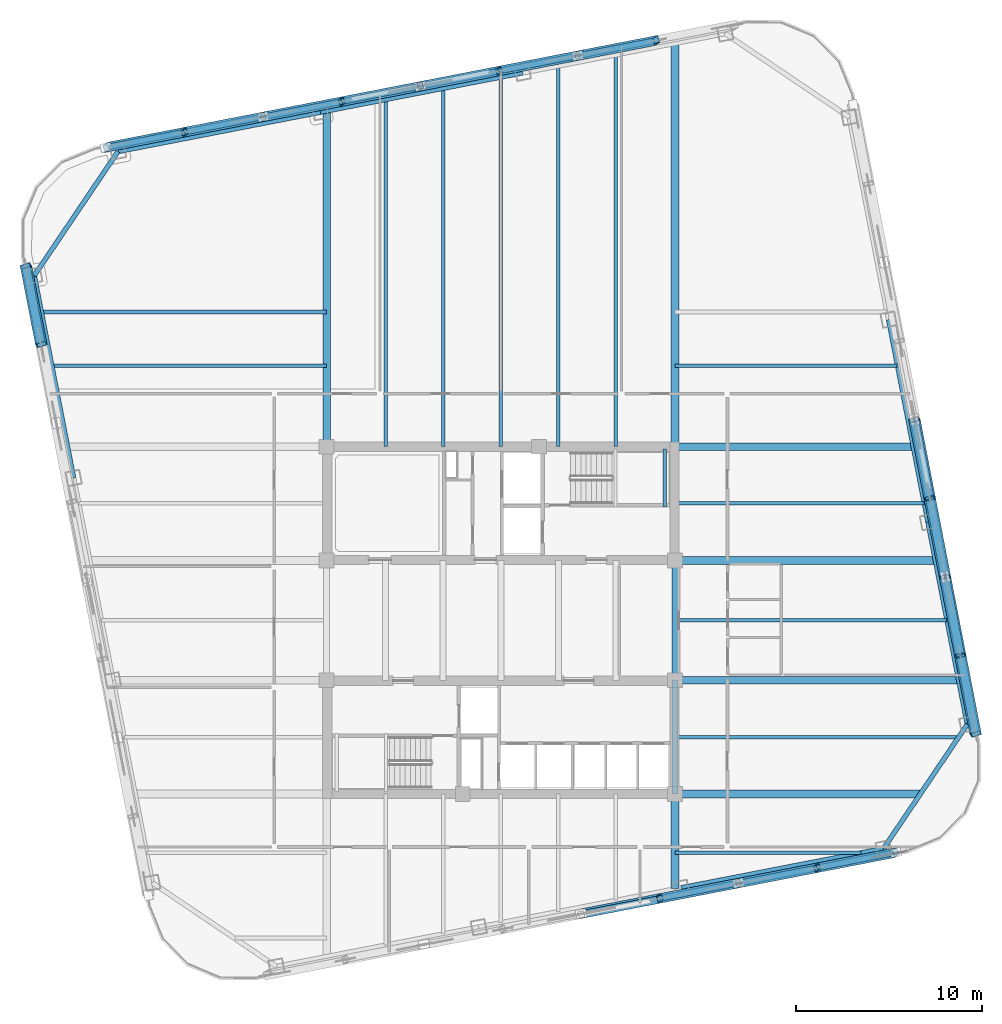
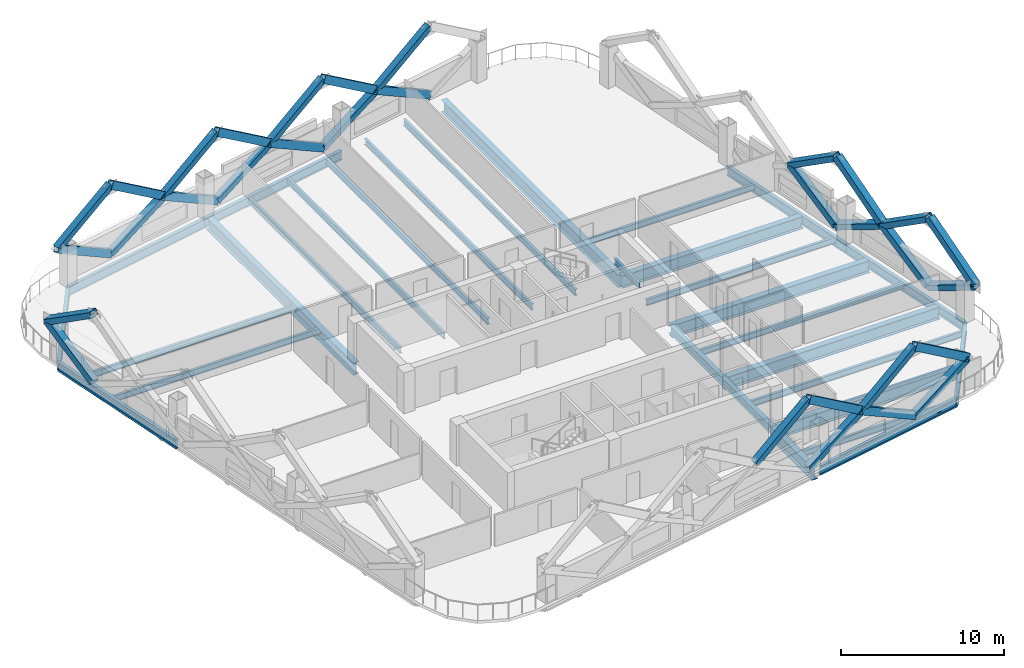
# One storey, part 2 of 10: 31 members, 30 beams.
"""IFC4 building model written with IfcOpenShell, lengths in metres."""

from ifc_helpers import new_model, si_unit, direction, frame, origin, origin_2d, place, context, subcontext, project, spatial, hollow_rectangle, i_section, extrude, material, material_profile, profile_set, type_object, element, save


model = new_model("IFC4")

# Units and contexts
model_context = context("Model", 3, precision=1e-05, world=origin(), true_north=direction((0.0, 1.0)))
body_context = subcontext(model_context, "Body", "Model", "MODEL_VIEW")
ifc_project = project(units=[si_unit("LENGTHUNIT", "METRE"), si_unit("AREAUNIT", "SQUARE_METRE"), si_unit("VOLUMEUNIT", "CUBIC_METRE"), si_unit("PLANEANGLEUNIT", "RADIAN"), si_unit("MASSUNIT", "GRAM", prefix="KILO")], contexts=[model_context])

# Site, building, storey
site_placement = place(None, origin())
site = spatial("IfcSite", under=ifc_project, at=site_placement, CompositionType="ELEMENT")
building_placement = place(site_placement, origin())
building = spatial("IfcBuilding", under=site, at=building_placement, Name="Qhalaya Broadcast Tower", CompositionType="ELEMENT")
storey_placement = place(building_placement, frame((0.0, 0.0, 131.10009765625)))
storey = spatial("IfcBuildingStorey", under=building, at=storey_placement, Name="L38", CompositionType="ELEMENT", Elevation=131.10009765625)

# Beams
ifc_material_1 = material(Name="Structural Steel ASTM A992 Grade 50", Category="steel")
ifc_material_profile_1 = material_profile(ifc_material_1, i_section(OverallWidth=0.19189453125, OverallDepth=0.462890625, WebThickness=0.010498046875, FlangeThickness=0.017578125, at=origin_2d()), Name="W18X60")
ifc_profile_set_1 = profile_set([ifc_material_profile_1], Name="Structural Steel ASTM A992 Grade 50")
beam_type_1 = type_object("IfcBeamType", Name="Composite Floor Joist J03", PredefinedType="JOIST", material=ifc_profile_set_1)
beam_1_placement = place(storey_placement, frame((-6.199951171875, 9.949951171875, -0.45166015625), z_axis=(0.0, 1.0, 0.0), x_axis=(-1.0, 0.0, 0.0)))
element("IfcBeam", 1, at=beam_1_placement, inside=storey, type_object=beam_type_1, Name="L38 J03 L38-JNN1-1", PredefinedType="JOIST", context=body_context, shape_type="SweptSolid", body=[
    extrude(i_section(OverallWidth=0.19189453125, OverallDepth=0.462890625, WebThickness=0.010498046875, FlangeThickness=0.017578125, at=origin_2d()), origin(), (0.0, 0.0, 1.0), 18.6728515625),
])
beam_2_placement = place(storey_placement, frame((-3.10009765625, 9.949951171875, -0.45166015625), z_axis=(0.0, 1.0, 0.0), x_axis=(-1.0, 0.0, 0.0)))
element("IfcBeam", 2, at=beam_2_placement, inside=storey, type_object=beam_type_1, Name="L38 J03 L38-JNN2-1", PredefinedType="JOIST", context=body_context, shape_type="SweptSolid", body=[
    extrude(i_section(OverallWidth=0.19189453125, OverallDepth=0.462890625, WebThickness=0.010498046875, FlangeThickness=0.017578125, at=origin_2d()), origin(), (0.0, 0.0, 1.0), 19.275390625),
])
beam_3_placement = place(storey_placement, frame((0.0, 9.949951171875, -0.45166015625), z_axis=(0.0, 1.0, 0.0), x_axis=(-1.0, 0.0, 0.0)))
element("IfcBeam", 3, at=beam_3_placement, inside=storey, type_object=beam_type_1, Name="L38 J03 L38-JNN3-1", PredefinedType="JOIST", context=body_context, shape_type="SweptSolid", body=[
    extrude(i_section(OverallWidth=0.19189453125, OverallDepth=0.462890625, WebThickness=0.010498046875, FlangeThickness=0.017578125, at=origin_2d()), origin(), (0.0, 0.0, 1.0), 19.8779296875),
])
beam_4_placement = place(storey_placement, frame((3.10009765625, 9.949951171875, -0.45166015625), z_axis=(0.0, 1.0, 0.0), x_axis=(-1.0, 0.0, 0.0)))
element("IfcBeam", 4, at=beam_4_placement, inside=storey, type_object=beam_type_1, Name="L38 J03 L38-JNN4-1", PredefinedType="JOIST", context=body_context, shape_type="SweptSolid", body=[
    extrude(i_section(OverallWidth=0.19189453125, OverallDepth=0.462890625, WebThickness=0.010498046875, FlangeThickness=0.017578125, at=origin_2d()), origin(), (0.0, 0.0, 1.0), 20.480712890625),
])
beam_5_placement = place(storey_placement, frame((6.199951171875, 9.949951171875, -0.45166015625), z_axis=(0.0, 1.0, 0.0), x_axis=(-1.0, 0.0, 0.0)))
element("IfcBeam", 5, at=beam_5_placement, inside=storey, type_object=beam_type_1, Name="L38 J03 L38-JNN5-1", PredefinedType="JOIST", context=body_context, shape_type="SweptSolid", body=[
    extrude(i_section(OverallWidth=0.19189453125, OverallDepth=0.462890625, WebThickness=0.010498046875, FlangeThickness=0.017578125, at=origin_2d()), origin(), (0.0, 0.0, 1.0), 21.083251953125),
])
beam_6_placement = place(storey_placement, frame((9.375, -11.89990234375, -0.45166015625), z_axis=(1.0, 0.0, 0.0), x_axis=(0.0, 1.0, 0.0)))
element("IfcBeam", 6, at=beam_6_placement, inside=storey, type_object=beam_type_1, Name="L38 J03 L38-JWE2E-1", PredefinedType="JOIST", context=body_context, shape_type="SweptSolid", body=[
    extrude(i_section(OverallWidth=0.19189453125, OverallDepth=0.462890625, WebThickness=0.010498046875, FlangeThickness=0.017578125, at=origin_2d()), origin(), (0.0, 0.0, 1.0), 10.009521484375),
])
beam_7_placement = place(storey_placement, frame((9.375, -5.699951171875, -0.45166015625), z_axis=(1.0, 0.0, 0.0), x_axis=(0.0, 1.0, 0.0)))
element("IfcBeam", 7, at=beam_7_placement, inside=storey, type_object=beam_type_1, Name="L38 J03 L38-JWE3E-1", PredefinedType="JOIST", context=body_context, shape_type="SweptSolid", body=[
    extrude(i_section(OverallWidth=0.19189453125, OverallDepth=0.462890625, WebThickness=0.010498046875, FlangeThickness=0.017578125, at=origin_2d()), origin(), (0.0, 0.0, 1.0), 15.24462890625),
])
beam_8_placement = place(storey_placement, frame((9.375, 0.60009765625, -0.45166015625), z_axis=(1.0, 0.0, 0.0), x_axis=(0.0, 1.0, 0.0)))
element("IfcBeam", 8, at=beam_8_placement, inside=storey, type_object=beam_type_1, Name="L38 J03 L38-JWE4E-1", PredefinedType="JOIST", context=body_context, shape_type="SweptSolid", body=[
    extrude(i_section(OverallWidth=0.19189453125, OverallDepth=0.462890625, WebThickness=0.010498046875, FlangeThickness=0.017578125, at=origin_2d()), origin(), (0.0, 0.0, 1.0), 14.632568359375),
])
beam_9_placement = place(storey_placement, frame((9.375, 6.89990234375, -0.45166015625), z_axis=(1.0, 0.0, 0.0), x_axis=(0.0, 1.0, 0.0)))
element("IfcBeam", 9, at=beam_9_placement, inside=storey, type_object=beam_type_1, Name="L38 J03 L38-JWE5E-1", PredefinedType="JOIST", context=body_context, shape_type="SweptSolid", body=[
    extrude(i_section(OverallWidth=0.19189453125, OverallDepth=0.462890625, WebThickness=0.010498046875, FlangeThickness=0.017578125, at=origin_2d()), origin(), (0.0, 0.0, 1.0), 13.407958984375),
])
beam_10_placement = place(storey_placement, frame((-24.1513671875, 14.300048828125, -0.45166015625), z_axis=(1.0, 0.0, 0.0), x_axis=(0.0, 1.0, 0.0)))
element("IfcBeam", 10, at=beam_10_placement, inside=storey, type_object=beam_type_1, Name="L38 J03 L38-JWE6W-1", PredefinedType="JOIST", context=body_context, shape_type="SweptSolid", body=[
    extrude(i_section(OverallWidth=0.19189453125, OverallDepth=0.462890625, WebThickness=0.010498046875, FlangeThickness=0.017578125, at=origin_2d()), origin(), (0.0, 0.0, 1.0), 14.7763671875),
])
beam_11_placement = place(storey_placement, frame((9.375, 14.300048828125, -0.45166015625), z_axis=(1.0, 0.0, 0.0), x_axis=(0.0, 1.0, 0.0)))
element("IfcBeam", 11, at=beam_11_placement, inside=storey, type_object=beam_type_1, Name="L38 J03 L38-JWE6E-1", PredefinedType="JOIST", context=body_context, shape_type="SweptSolid", body=[
    extrude(i_section(OverallWidth=0.19189453125, OverallDepth=0.462890625, WebThickness=0.010498046875, FlangeThickness=0.017578125, at=origin_2d()), origin(), (0.0, 0.0, 1.0), 11.969482421875),
])
beam_12_placement = place(storey_placement, frame((-24.715087890625, 17.199951171875, -0.45166015625), z_axis=(1.0, 0.0, 0.0), x_axis=(0.0, 1.0, 0.0)))
element("IfcBeam", 12, at=beam_12_placement, inside=storey, type_object=beam_type_1, Name="L38 J03 L38-JWE7W-1", PredefinedType="JOIST", context=body_context, shape_type="SweptSolid", body=[
    extrude(i_section(OverallWidth=0.19189453125, OverallDepth=0.462890625, WebThickness=0.010498046875, FlangeThickness=0.017578125, at=origin_2d()), origin(), (0.0, 0.0, 1.0), 15.340087890625),
])
ifc_material_profile_2 = material_profile(ifc_material_1, i_section(OverallWidth=0.323974609375, OverallDepth=0.612060546875, WebThickness=0.0126953125, FlangeThickness=0.01904296875, at=origin_2d()), Name="W24X104")
ifc_profile_set_2 = profile_set([ifc_material_profile_2], Name="Structural Steel ASTM A992 Grade 50")
beam_type_2 = type_object("IfcBeamType", Name="Core Frame Tie Beam B04", PredefinedType="BEAM", material=ifc_profile_set_2)
beam_13_placement = place(storey_placement, frame((9.375, -8.75, -0.526123046875), z_axis=(0.0, 1.0, 0.0), x_axis=(-1.0, 0.0, 0.0)))
element("IfcBeam", 13, at=beam_13_placement, inside=storey, type_object=beam_type_2, Name="L38 B04 L38-CCS2", PredefinedType="BEAM", context=body_context, shape_type="SweptSolid", body=[
    extrude(i_section(OverallWidth=0.323974609375, OverallDepth=0.612060546875, WebThickness=0.0126953125, FlangeThickness=0.01904296875, at=origin_2d()), origin(), (0.0, 0.0, 1.0), 6.125),
])
beam_14_placement = place(storey_placement, frame((9.375, -2.625, -0.526123046875), z_axis=(0.0, 1.0, 0.0), x_axis=(-1.0, 0.0, 0.0)))
element("IfcBeam", 14, at=beam_14_placement, inside=storey, type_object=beam_type_2, Name="L38 B04 L38-CCE", PredefinedType="BEAM", context=body_context, shape_type="SweptSolid", body=[
    extrude(i_section(OverallWidth=0.323974609375, OverallDepth=0.612060546875, WebThickness=0.0126953125, FlangeThickness=0.01904296875, at=origin_2d()), origin(), (0.0, 0.0, 1.0), 6.449951171875),
])

# Members
ifc_material_2 = material(Name="Structural Steel ASTM A572 Grade 50", Category="steel")
ifc_material_profile_3 = material_profile(ifc_material_2, hollow_rectangle(XDim=0.419921875, YDim=0.550048828125, WallThickness=0.028076171875, at=origin_2d()), Name="BOX 420x550x28")
ifc_profile_set_3 = profile_set([ifc_material_profile_3], Name="Structural Steel ASTM A572 Grade 50")
member_type = type_object("IfcMemberType", Name="Exoskeleton Diamond Diagonal Mid-Low EX2", PredefinedType="BRACE", material=ifc_profile_set_3)
member_1_placement = place(storey_placement, frame((8.562744140625, -14.370361328125, 0.35986328125), z_axis=(0.863618006517, 0.167902203124, 0.475365952719), x_axis=(-0.276374553568, 0.946274942687, 0.167871495444)))
element("IfcMember", 15, at=member_1_placement, inside=storey, type_object=member_type, Name="B3 Exoskeleton Diamond Brace S3-D2", PredefinedType="BRACE", context=body_context, shape_type="SweptSolid", body=[
    extrude(hollow_rectangle(XDim=0.419921875, YDim=0.550048828125, WallThickness=0.028076171875, at=origin_2d()), origin(), (0.0, 0.0, 1.0), 4.901611328125),
])
for number, where, z_axis, x_axis, name in (
    (16, (4.32958984375, -15.193115234375, 2.68994140625), (0.822430012189, 0.159847115813, 0.545946677449), (-0.289542019185, 0.943720856791, 0.159863578043), "B3 Exoskeleton Diamond Brace S3-D3"),
    (17, (12.7958984375, -13.54736328125, 2.68994140625), (-0.822423775729, -0.159893335716, 0.545942537553), (0.289593689204, -0.943704915221, 0.15986409278), "B3 Exoskeleton Diamond Brace S3-D4"),
):
    element("IfcMember", number, at=place(storey_placement, frame(where, z_axis=z_axis, x_axis=x_axis)), inside=storey, type_object=member_type, Name=name, PredefinedType="BRACE", context=body_context, shape_type="SweptSolid", body=[
        extrude(hollow_rectangle(XDim=0.419921875, YDim=0.550048828125, WallThickness=0.028076171875, at=origin_2d()), origin(), (0.0, 0.0, 1.0), 5.147216796875),
    ])
member_2_placement = place(storey_placement, frame((17.029296875, -12.724609375, 0.35986328125), z_axis=(-0.863637885863, -0.16784657874, 0.47534947997), x_axis=(0.276308659238, -0.946293884406, 0.167873193708)))
element("IfcMember", 18, at=member_2_placement, inside=storey, type_object=member_type, Name="B3 Exoskeleton Diamond Brace S4-D1", PredefinedType="BRACE", context=body_context, shape_type="SweptSolid", body=[
    extrude(hollow_rectangle(XDim=0.419921875, YDim=0.550048828125, WallThickness=0.028076171875, at=origin_2d()), origin(), (0.0, 0.0, 1.0), 4.90185546875),
])
member_3_placement = place(storey_placement, frame((17.029296875, -12.724609375, 0.35986328125), z_axis=(0.863618006517, 0.167902203124, 0.475365952719), x_axis=(-0.276374553568, 0.946274942687, 0.167871495444)))
element("IfcMember", 19, at=member_3_placement, inside=storey, type_object=member_type, Name="B3 Exoskeleton Diamond Brace S4-D2", PredefinedType="BRACE", context=body_context, shape_type="SweptSolid", body=[
    extrude(hollow_rectangle(XDim=0.419921875, YDim=0.550048828125, WallThickness=0.028076171875, at=origin_2d()), origin(), (0.0, 0.0, 1.0), 4.901611328125),
])
for number, where, z_axis, x_axis, name in (
    (20, (12.7958984375, -13.54736328125, 2.68994140625), (0.822445360829, 0.159840880392, 0.545925380804), (-0.289527837313, 0.943724759255, 0.159866225918), "B3 Exoskeleton Diamond Brace S4-D3"),
    (21, (21.262451171875, -11.901611328125, 2.68994140625), (-0.822423775729, -0.159893335716, 0.545942537553), (0.289593689204, -0.943704915221, 0.15986409278), "B3 Exoskeleton Diamond Brace S4-D4"),
):
    element("IfcMember", number, at=place(storey_placement, frame(where, z_axis=z_axis, x_axis=x_axis)), inside=storey, type_object=member_type, Name=name, PredefinedType="BRACE", context=body_context, shape_type="SweptSolid", body=[
        extrude(hollow_rectangle(XDim=0.419921875, YDim=0.550048828125, WallThickness=0.028076171875, at=origin_2d()), origin(), (0.0, 0.0, 1.0), 5.147216796875),
    ])
member_4_placement = place(storey_placement, frame((24.74169921875, -1.290283203125, 0.35986328125), z_axis=(0.167894981079, -0.863630665056, 0.475345505611), x_axis=(-0.276347513602, 0.421624178814, 0.863634820723)))
element("IfcMember", 22, at=member_4_placement, inside=storey, type_object=member_type, Name="B3 Exoskeleton Diamond Brace E1-D1", PredefinedType="BRACE", context=body_context, shape_type="SweptSolid", body=[
    extrude(hollow_rectangle(XDim=0.419921875, YDim=0.550048828125, WallThickness=0.028076171875, at=origin_2d()), origin(), (0.0, 0.0, 1.0), 4.90185546875),
])
member_5_placement = place(storey_placement, frame((24.74169921875, -1.290283203125, 0.35986328125), z_axis=(-0.167902203124, 0.863618006517, 0.475365952719), x_axis=(0.276355899211, -0.421640895738, 0.863623976052)))
element("IfcMember", 23, at=member_5_placement, inside=storey, type_object=member_type, Name="B3 Exoskeleton Diamond Brace E1-D2", PredefinedType="BRACE", context=body_context, shape_type="SweptSolid", body=[
    extrude(hollow_rectangle(XDim=0.419921875, YDim=0.550048828125, WallThickness=0.028076171875, at=origin_2d()), origin(), (0.0, 0.0, 1.0), 4.901611328125),
])
member_6_placement = place(storey_placement, frame((25.564697265625, -5.523681640625, 2.68994140625), z_axis=(-0.159887098587, 0.822439124739, 0.545921241393), x_axis=(0.289568264946, -0.489630060841, 0.822443082199)))
element("IfcMember", 24, at=member_6_placement, inside=storey, type_object=member_type, Name="B3 Exoskeleton Diamond Brace E1-D3", PredefinedType="BRACE", context=body_context, shape_type="SweptSolid", body=[
    extrude(hollow_rectangle(XDim=0.419921875, YDim=0.550048828125, WallThickness=0.028076171875, at=origin_2d()), origin(), (0.0, 0.0, 1.0), 5.1474609375),
])
member_7_placement = place(storey_placement, frame((23.918701171875, 2.94287109375, 2.68994140625), z_axis=(0.159893335716, -0.822423775729, 0.545942537553), x_axis=(-0.289577544331, 0.489647453062, 0.822429460519)))
element("IfcMember", 25, at=member_7_placement, inside=storey, type_object=member_type, Name="B3 Exoskeleton Diamond Brace E1-D4", PredefinedType="BRACE", context=body_context, shape_type="SweptSolid", body=[
    extrude(hollow_rectangle(XDim=0.419921875, YDim=0.550048828125, WallThickness=0.028076171875, at=origin_2d()), origin(), (0.0, 0.0, 1.0), 5.147216796875),
])
member_8_placement = place(storey_placement, frame((23.095947265625, 7.17626953125, 0.35986328125), z_axis=(0.16784657874, -0.863637885863, 0.47534947997), x_axis=(-0.276324827587, 0.421643364625, 0.863632712863)))
element("IfcMember", 26, at=member_8_placement, inside=storey, type_object=member_type, Name="B3 Exoskeleton Diamond Brace E2-D1", PredefinedType="BRACE", context=body_context, shape_type="SweptSolid", body=[
    extrude(hollow_rectangle(XDim=0.419921875, YDim=0.550048828125, WallThickness=0.028076171875, at=origin_2d()), origin(), (0.0, 0.0, 1.0), 4.90185546875),
])
member_9_placement = place(storey_placement, frame((23.095947265625, 7.17626953125, 0.35986328125), z_axis=(-0.167853798825, 0.86362522784, 0.475369927591), x_axis=(0.276333211151, -0.421660083323, 0.863621867803)))
element("IfcMember", 27, at=member_9_placement, inside=storey, type_object=member_type, Name="B3 Exoskeleton Diamond Brace E2-D2", PredefinedType="BRACE", context=body_context, shape_type="SweptSolid", body=[
    extrude(hollow_rectangle(XDim=0.419921875, YDim=0.550048828125, WallThickness=0.028076171875, at=origin_2d()), origin(), (0.0, 0.0, 1.0), 4.901611328125),
])
for number, where, z_axis, x_axis, name in (
    (28, (23.918701171875, 2.94287109375, 2.68994140625), (-0.159840880392, 0.822445360829, 0.545925380804), (0.289541830698, -0.489650140275, 0.822440434563), "B3 Exoskeleton Diamond Brace E2-D3"),
    (29, (22.273193359375, 11.409423828125, 2.68994140625), (0.159847115813, -0.822430012189, 0.545946677449), (-0.289551107794, 0.489667534331, 0.822426812426), "B3 Exoskeleton Diamond Brace E2-D4"),
):
    element("IfcMember", number, at=place(storey_placement, frame(where, z_axis=z_axis, x_axis=x_axis)), inside=storey, type_object=member_type, Name=name, PredefinedType="BRACE", context=body_context, shape_type="SweptSolid", body=[
        extrude(hollow_rectangle(XDim=0.419921875, YDim=0.550048828125, WallThickness=0.028076171875, at=origin_2d()), origin(), (0.0, 0.0, 1.0), 5.147216796875),
    ])
member_10_placement = place(storey_placement, frame((8.370361328125, 31.82177734375, 0.35986328125), z_axis=(-0.863618006517, -0.167902203124, 0.475365952719), x_axis=(0.276374553568, -0.946274942687, 0.167871495444)))
element("IfcMember", 30, at=member_10_placement, inside=storey, type_object=member_type, Name="B3 Exoskeleton Diamond Brace N1-D2", PredefinedType="BRACE", context=body_context, shape_type="SweptSolid", body=[
    extrude(hollow_rectangle(XDim=0.419921875, YDim=0.550048828125, WallThickness=0.028076171875, at=origin_2d()), origin(), (0.0, 0.0, 1.0), 4.901611328125),
])
member_11_placement = place(storey_placement, frame((4.13720703125, 30.998779296875, 2.68994140625), z_axis=(0.822423775729, 0.159893335716, 0.545942537553), x_axis=(-0.289593689204, 0.943704915221, 0.15986409278)))
element("IfcMember", 31, at=member_11_placement, inside=storey, type_object=member_type, Name="B3 Exoskeleton Diamond Brace N1-D4", PredefinedType="BRACE", context=body_context, shape_type="SweptSolid", body=[
    extrude(hollow_rectangle(XDim=0.419921875, YDim=0.550048828125, WallThickness=0.028076171875, at=origin_2d()), origin(), (0.0, 0.0, 1.0), 5.147216796875),
])
for number, where, z_axis, x_axis, name in (
    (32, (-0.09619140625, 30.176025390625, 0.35986328125), (0.863637885863, 0.16784657874, 0.47534947997), (-0.276308659238, 0.946293884406, 0.167873193708), "B3 Exoskeleton Diamond Brace N2-D1"),
    (33, (-0.09619140625, 30.176025390625, 0.35986328125), (-0.863630665056, -0.167894981079, 0.475345505611), (0.276360500461, -0.946278673042, 0.167873603434), "B3 Exoskeleton Diamond Brace N2-D2"),
):
    element("IfcMember", number, at=place(storey_placement, frame(where, z_axis=z_axis, x_axis=x_axis)), inside=storey, type_object=member_type, Name=name, PredefinedType="BRACE", context=body_context, shape_type="SweptSolid", body=[
        extrude(hollow_rectangle(XDim=0.419921875, YDim=0.550048828125, WallThickness=0.028076171875, at=origin_2d()), origin(), (0.0, 0.0, 1.0), 4.90185546875),
    ])
member_12_placement = place(storey_placement, frame((4.13720703125, 30.998779296875, 2.68994140625), z_axis=(-0.822445360829, -0.159840880392, 0.545925380804), x_axis=(0.289527837313, -0.943724759255, 0.159866225918)))
element("IfcMember", 34, at=member_12_placement, inside=storey, type_object=member_type, Name="B3 Exoskeleton Diamond Brace N2-D3", PredefinedType="BRACE", context=body_context, shape_type="SweptSolid", body=[
    extrude(hollow_rectangle(XDim=0.419921875, YDim=0.550048828125, WallThickness=0.028076171875, at=origin_2d()), origin(), (0.0, 0.0, 1.0), 5.147216796875),
])
member_13_placement = place(storey_placement, frame((-4.32958984375, 29.35302734375, 2.68994140625), z_axis=(0.822439124739, 0.159887098587, 0.545921241393), x_axis=(-0.289579504833, 0.943708819309, 0.159866740566)))
element("IfcMember", 35, at=member_13_placement, inside=storey, type_object=member_type, Name="B3 Exoskeleton Diamond Brace N2-D4", PredefinedType="BRACE", context=body_context, shape_type="SweptSolid", body=[
    extrude(hollow_rectangle(XDim=0.419921875, YDim=0.550048828125, WallThickness=0.028076171875, at=origin_2d()), origin(), (0.0, 0.0, 1.0), 5.1474609375),
])
for number, where, z_axis, x_axis, name in (
    (36, (-8.562744140625, 28.5302734375, 0.35986328125), (0.86362522784, 0.167853798825, 0.475369927591), (-0.276322709835, 0.946290155626, 0.167871085642), "B3 Exoskeleton Diamond Brace N3-D1"),
    (37, (-8.562744140625, 28.5302734375, 0.35986328125), (-0.86362522784, -0.167853798825, 0.475369927591), (0.276322709835, -0.946290155626, 0.167871085642), "B3 Exoskeleton Diamond Brace N3-D2"),
):
    element("IfcMember", number, at=place(storey_placement, frame(where, z_axis=z_axis, x_axis=x_axis)), inside=storey, type_object=member_type, Name=name, PredefinedType="BRACE", context=body_context, shape_type="SweptSolid", body=[
        extrude(hollow_rectangle(XDim=0.419921875, YDim=0.550048828125, WallThickness=0.028076171875, at=origin_2d()), origin(), (0.0, 0.0, 1.0), 4.901611328125),
    ])
for number, where, z_axis, x_axis, name in (
    (38, (-4.32958984375, 29.35302734375, 2.68994140625), (-0.822430012189, -0.159847115813, 0.545946677449), (0.289542019185, -0.943720856791, 0.159863578043), "B3 Exoskeleton Diamond Brace N3-D3"),
    (39, (-12.7958984375, 27.70751953125, 2.68994140625), (0.822430012189, 0.159847115813, 0.545946677449), (-0.289542019185, 0.943720856791, 0.159863578043), "B3 Exoskeleton Diamond Brace N3-D4"),
):
    element("IfcMember", number, at=place(storey_placement, frame(where, z_axis=z_axis, x_axis=x_axis)), inside=storey, type_object=member_type, Name=name, PredefinedType="BRACE", context=body_context, shape_type="SweptSolid", body=[
        extrude(hollow_rectangle(XDim=0.419921875, YDim=0.550048828125, WallThickness=0.028076171875, at=origin_2d()), origin(), (0.0, 0.0, 1.0), 5.147216796875),
    ])
member_14_placement = place(storey_placement, frame((-17.029296875, 26.884521484375, 0.35986328125), z_axis=(0.863630665056, 0.167894981079, 0.475345505611), x_axis=(-0.276360500461, 0.946278673042, 0.167873603434)))
element("IfcMember", 40, at=member_14_placement, inside=storey, type_object=member_type, Name="B3 Exoskeleton Diamond Brace N4-D1", PredefinedType="BRACE", context=body_context, shape_type="SweptSolid", body=[
    extrude(hollow_rectangle(XDim=0.419921875, YDim=0.550048828125, WallThickness=0.028076171875, at=origin_2d()), origin(), (0.0, 0.0, 1.0), 4.90185546875),
])
member_15_placement = place(storey_placement, frame((-17.029296875, 26.884521484375, 0.35986328125), z_axis=(-0.86362522784, -0.167853798825, 0.475369927591), x_axis=(0.276322709835, -0.946290155626, 0.167871085642)))
element("IfcMember", 41, at=member_15_placement, inside=storey, type_object=member_type, Name="B3 Exoskeleton Diamond Brace N4-D2", PredefinedType="BRACE", context=body_context, shape_type="SweptSolid", body=[
    extrude(hollow_rectangle(XDim=0.419921875, YDim=0.550048828125, WallThickness=0.028076171875, at=origin_2d()), origin(), (0.0, 0.0, 1.0), 4.901611328125),
])
member_16_placement = place(storey_placement, frame((-12.7958984375, 27.70751953125, 2.68994140625), z_axis=(-0.822439124739, -0.159887098587, 0.545921241393), x_axis=(0.289579504833, -0.943708819309, 0.159866740566)))
element("IfcMember", 42, at=member_16_placement, inside=storey, type_object=member_type, Name="B3 Exoskeleton Diamond Brace N4-D3", PredefinedType="BRACE", context=body_context, shape_type="SweptSolid", body=[
    extrude(hollow_rectangle(XDim=0.419921875, YDim=0.550048828125, WallThickness=0.028076171875, at=origin_2d()), origin(), (0.0, 0.0, 1.0), 5.1474609375),
])
member_17_placement = place(storey_placement, frame((-21.262451171875, 26.061767578125, 2.68994140625), z_axis=(0.822430012189, 0.159847115813, 0.545946677449), x_axis=(-0.289542019185, 0.943720856791, 0.159863578043)))
element("IfcMember", 43, at=member_17_placement, inside=storey, type_object=member_type, Name="B3 Exoskeleton Diamond Brace N4-D4", PredefinedType="BRACE", context=body_context, shape_type="SweptSolid", body=[
    extrude(hollow_rectangle(XDim=0.419921875, YDim=0.550048828125, WallThickness=0.028076171875, at=origin_2d()), origin(), (0.0, 0.0, 1.0), 5.147216796875),
])
member_18_placement = place(storey_placement, frame((-24.74169921875, 15.4501953125, 0.35986328125), z_axis=(-0.167894981079, 0.863630665056, 0.475345505611), x_axis=(0.276347513602, -0.421624178814, 0.863634820723)))
element("IfcMember", 44, at=member_18_placement, inside=storey, type_object=member_type, Name="B3 Exoskeleton Diamond Brace W1-D1", PredefinedType="BRACE", context=body_context, shape_type="SweptSolid", body=[
    extrude(hollow_rectangle(XDim=0.419921875, YDim=0.550048828125, WallThickness=0.028076171875, at=origin_2d()), origin(), (0.0, 0.0, 1.0), 4.90185546875),
])
member_19_placement = place(storey_placement, frame((-25.564697265625, 19.68359375, 2.68994140625), z_axis=(0.159887098587, -0.822439124739, 0.545921241393), x_axis=(-0.289568264946, 0.489630060841, 0.822443082199)))
element("IfcMember", 45, at=member_19_placement, inside=storey, type_object=member_type, Name="B3 Exoskeleton Diamond Brace W1-D3", PredefinedType="BRACE", context=body_context, shape_type="SweptSolid", body=[
    extrude(hollow_rectangle(XDim=0.419921875, YDim=0.550048828125, WallThickness=0.028076171875, at=origin_2d()), origin(), (0.0, 0.0, 1.0), 5.1474609375),
])

# Beams
ifc_material_profile_4 = material_profile(ifc_material_1, i_section(OverallWidth=0.4189453125, OverallDepth=0.927001953125, WebThickness=0.019287109375, FlangeThickness=0.031982421875, at=origin_2d()), Name="W36X231")
ifc_profile_set_4 = profile_set([ifc_material_profile_4], Name="Structural Steel ASTM A992 Grade 50")
beam_type_3 = type_object("IfcBeamType", Name="Mid Block Primary Girder PG3", PredefinedType="USERDEFINED", material=ifc_profile_set_4)
beam_15_placement = place(storey_placement, frame((-9.375, 9.949951171875, -0.68359375), z_axis=(0.0, 1.0, 0.0), x_axis=(-1.0, 0.0, 0.0)))
element("IfcBeam", 46, at=beam_15_placement, inside=storey, type_object=beam_type_3, Name="L38 PG3 L38-PGXN1-1", ObjectType="GIRDER", PredefinedType="USERDEFINED", context=body_context, shape_type="SweptSolid", body=[
    extrude(i_section(OverallWidth=0.4189453125, OverallDepth=0.927001953125, WebThickness=0.019287109375, FlangeThickness=0.031982421875, at=origin_2d()), origin(), (0.0, 0.0, 1.0), 18.0556640625),
])
beam_16_placement = place(storey_placement, frame((9.375, -13.845703125, -0.68359375), z_axis=(0.0, 1.0, 0.0), x_axis=(-1.0, 0.0, 0.0)))
element("IfcBeam", 47, at=beam_16_placement, inside=storey, type_object=beam_type_3, Name="L38 PG3 L38-PGXS2-1", ObjectType="GIRDER", PredefinedType="USERDEFINED", context=body_context, shape_type="SweptSolid", body=[
    extrude(i_section(OverallWidth=0.4189453125, OverallDepth=0.927001953125, WebThickness=0.019287109375, FlangeThickness=0.031982421875, at=origin_2d()), origin(), (0.0, 0.0, 1.0), 5.095703125),
])
beam_17_placement = place(storey_placement, frame((9.375, 9.949951171875, -0.68359375), z_axis=(0.0, 1.0, 0.0), x_axis=(-1.0, 0.0, 0.0)))
element("IfcBeam", 48, at=beam_17_placement, inside=storey, type_object=beam_type_3, Name="L38 PG3 L38-PGXN2-1", ObjectType="GIRDER", PredefinedType="USERDEFINED", context=body_context, shape_type="SweptSolid", body=[
    extrude(i_section(OverallWidth=0.4189453125, OverallDepth=0.927001953125, WebThickness=0.019287109375, FlangeThickness=0.031982421875, at=origin_2d()), origin(), (0.0, 0.0, 1.0), 21.7001953125),
])
beam_18_placement = place(storey_placement, frame((9.375, -8.75, -0.68359375), z_axis=(1.0, 0.0, 0.0), x_axis=(0.0, 1.0, 0.0)))
element("IfcBeam", 49, at=beam_18_placement, inside=storey, type_object=beam_type_3, Name="L38 PG3 L38-PGYE1-1", ObjectType="GIRDER", PredefinedType="USERDEFINED", context=body_context, shape_type="SweptSolid", body=[
    extrude(i_section(OverallWidth=0.4189453125, OverallDepth=0.927001953125, WebThickness=0.019287109375, FlangeThickness=0.031982421875, at=origin_2d()), origin(), (0.0, 0.0, 1.0), 13.1875),
])
beam_19_placement = place(storey_placement, frame((9.375, -2.625, -0.68359375), z_axis=(1.0, 0.0, 0.0), x_axis=(0.0, 1.0, 0.0)))
element("IfcBeam", 50, at=beam_19_placement, inside=storey, type_object=beam_type_3, Name="L38 PG3 L38-PGYE2-1", ObjectType="GIRDER", PredefinedType="USERDEFINED", context=body_context, shape_type="SweptSolid", body=[
    extrude(i_section(OverallWidth=0.4189453125, OverallDepth=0.927001953125, WebThickness=0.019287109375, FlangeThickness=0.031982421875, at=origin_2d()), origin(), (0.0, 0.0, 1.0), 15.259521484375),
])
beam_20_placement = place(storey_placement, frame((9.375, 3.824951171875, -0.68359375), z_axis=(1.0, 0.0, 0.0), x_axis=(0.0, 1.0, 0.0)))
element("IfcBeam", 51, at=beam_20_placement, inside=storey, type_object=beam_type_3, Name="L38 PG3 L38-PGYE3-1", ObjectType="GIRDER", PredefinedType="USERDEFINED", context=body_context, shape_type="SweptSolid", body=[
    extrude(i_section(OverallWidth=0.4189453125, OverallDepth=0.927001953125, WebThickness=0.019287109375, FlangeThickness=0.031982421875, at=origin_2d()), origin(), (0.0, 0.0, 1.0), 14.005615234375),
])
beam_21_placement = place(storey_placement, frame((9.375, 9.949951171875, -0.68359375), z_axis=(1.0, 0.0, 0.0), x_axis=(0.0, 1.0, 0.0)))
element("IfcBeam", 52, at=beam_21_placement, inside=storey, type_object=beam_type_3, Name="L38 PG3 L38-PGYE4-1", ObjectType="GIRDER", PredefinedType="USERDEFINED", context=body_context, shape_type="SweptSolid", body=[
    extrude(i_section(OverallWidth=0.4189453125, OverallDepth=0.927001953125, WebThickness=0.019287109375, FlangeThickness=0.031982421875, at=origin_2d()), origin(), (0.0, 0.0, 1.0), 12.815185546875),
])
ifc_material_profile_5 = material_profile(ifc_material_1, i_section(OverallWidth=0.25390625, OverallDepth=0.68310546875, WebThickness=0.012451171875, FlangeThickness=0.01904296875, at=origin_2d()), Name="W27X94")
ifc_profile_set_5 = profile_set([ifc_material_profile_5], Name="Structural Steel ASTM A992 Grade 50")
beam_type_4 = type_object("IfcBeamType", Name="Perimeter Ring Spandrel Beam SP1", PredefinedType="SPANDREL", material=ifc_profile_set_5)
beam_22_placement = place(storey_placement, frame((9.712646484375, -13.80029296875, -0.5615234375), z_axis=(0.981627979352, 0.190804900759, 0.0), x_axis=(-0.190804900759, 0.981627979352, 0.0)))
element("IfcBeam", 53, at=beam_22_placement, inside=storey, type_object=beam_type_4, Name="L38 SP1 L38-SPR-03", PredefinedType="SPANDREL", context=body_context, shape_type="SweptSolid", body=[
    extrude(i_section(OverallWidth=0.25390625, OverallDepth=0.68310546875, WebThickness=0.012451171875, FlangeThickness=0.01904296875, at=origin_2d()), origin(), (0.0, 0.0, 1.0), 11.099853515625),
])
beam_23_placement = place(storey_placement, frame((20.608642578125, -11.682373046875, -0.5615234375), z_axis=(0.559186208288, 0.829042088473, 0.0), x_axis=(-0.829042088473, 0.559186208288, 0.0)))
element("IfcBeam", 54, at=beam_23_placement, inside=storey, type_object=beam_type_4, Name="L38 SP1 L38-SPR-04", PredefinedType="SPANDREL", context=body_context, shape_type="SweptSolid", body=[
    extrude(i_section(OverallWidth=0.25390625, OverallDepth=0.68310546875, WebThickness=0.012451171875, FlangeThickness=0.01904296875, at=origin_2d()), origin(), (0.0, 0.0, 1.0), 8.06103515625),
])
for number, where, z_axis, x_axis, name in (
    (55, (25.1162109375, -4.99951171875, -0.5615234375), (-0.190804900759, 0.981627979352, 0.0), (-0.981627979352, -0.190804900759, 0.0), "L38 SP1 L38-SPR-05"),
    (56, (22.998291015625, 5.896484375, -0.5615234375), (-0.190804900759, 0.981627979352, 0.0), (-0.981627979352, -0.190804900759, 0.0), "L38 SP1 L38-SPR-06"),
    (57, (1.183349609375, 30.078369140625, -0.5615234375), (-0.981627979352, -0.190804900759, 0.0), (0.190804900759, -0.981627979352, 0.0), "L38 SP1 L38-SPR-10"),
    (58, (-9.712646484375, 27.96044921875, -0.5615234375), (-0.981623859527, -0.190826094673, 0.0), (0.190826094673, -0.981623859527, 0.0), "L38 SP1 L38-SPR-11"),
):
    element("IfcBeam", number, at=place(storey_placement, frame(where, z_axis=z_axis, x_axis=x_axis)), inside=storey, type_object=beam_type_4, Name=name, PredefinedType="SPANDREL", context=body_context, shape_type="SweptSolid", body=[
        extrude(i_section(OverallWidth=0.25390625, OverallDepth=0.68310546875, WebThickness=0.012451171875, FlangeThickness=0.01904296875, at=origin_2d()), origin(), (0.0, 0.0, 1.0), 11.099853515625),
    ])
beam_24_placement = place(storey_placement, frame((-20.608642578125, 25.84228515625, -0.5615234375), z_axis=(-0.559186208288, -0.829042088473, 0.0), x_axis=(0.829042088473, -0.559186208288, 0.0)))
element("IfcBeam", 59, at=beam_24_placement, inside=storey, type_object=beam_type_4, Name="L38 SP1 L38-SPR-12", PredefinedType="SPANDREL", context=body_context, shape_type="SweptSolid", body=[
    extrude(i_section(OverallWidth=0.25390625, OverallDepth=0.68310546875, WebThickness=0.012451171875, FlangeThickness=0.01904296875, at=origin_2d()), origin(), (0.0, 0.0, 1.0), 8.06103515625),
])
beam_25_placement = place(storey_placement, frame((-25.1162109375, 19.159423828125, -0.5615234375), z_axis=(0.190804900759, -0.981627979352, 0.0), x_axis=(0.981627979352, 0.190804900759, 0.0)))
element("IfcBeam", 60, at=beam_25_placement, inside=storey, type_object=beam_type_4, Name="L38 SP1 L38-SPR-13", PredefinedType="SPANDREL", context=body_context, shape_type="SweptSolid", body=[
    extrude(i_section(OverallWidth=0.25390625, OverallDepth=0.68310546875, WebThickness=0.012451171875, FlangeThickness=0.01904296875, at=origin_2d()), origin(), (0.0, 0.0, 1.0), 11.099853515625),
])
ifc_material_profile_6 = material_profile(ifc_material_1, i_section(OverallWidth=0.177978515625, OverallDepth=0.406005859375, WebThickness=0.0078125, FlangeThickness=0.0126953125, at=origin_2d()), Name="W16X40")
ifc_profile_set_6 = profile_set([ifc_material_profile_6], Name="Structural Steel ASTM A992 Grade 50")
beam_type_5 = type_object("IfcBeamType", Name="Upper Perimeter Spandrel Beam SP2", PredefinedType="SPANDREL", material=ifc_profile_set_6)
beam_26_placement = place(storey_placement, frame((8.830078125, 6.699951171875, 1.121826171875), z_axis=(0.0, 1.0, 0.0), x_axis=(-1.0, 0.0, 0.0)))
element("IfcBeam", 61, at=beam_26_placement, inside=storey, type_object=beam_type_5, Name="L38 ST-1 Half-Landing Bearer Beam 2", PredefinedType="SPANDREL", context=body_context, shape_type="SweptSolid", body=[
    extrude(i_section(OverallWidth=0.177978515625, OverallDepth=0.406005859375, WebThickness=0.0078125, FlangeThickness=0.0126953125, at=origin_2d()), origin(), (0.0, 0.0, 1.0), 3.1201171875),
])

save(model, "model.ifc")
